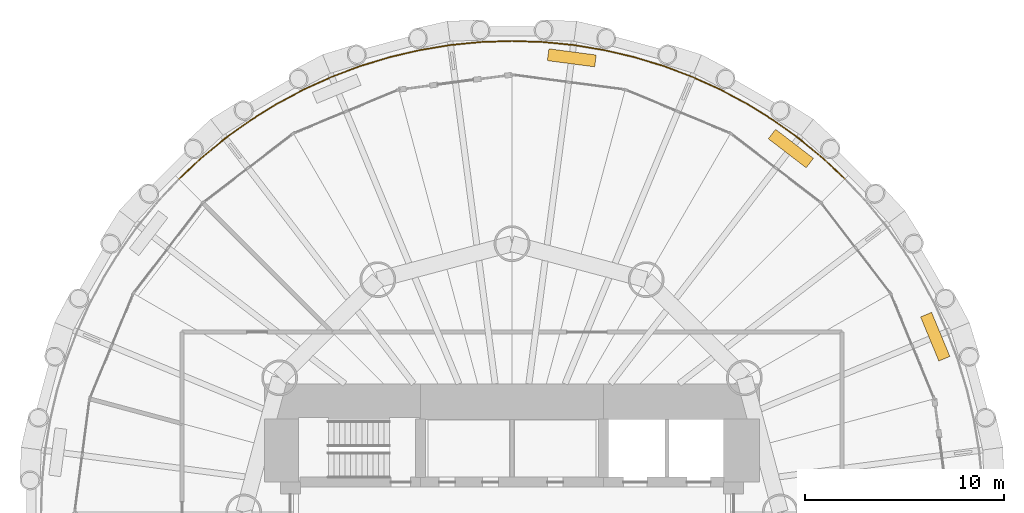
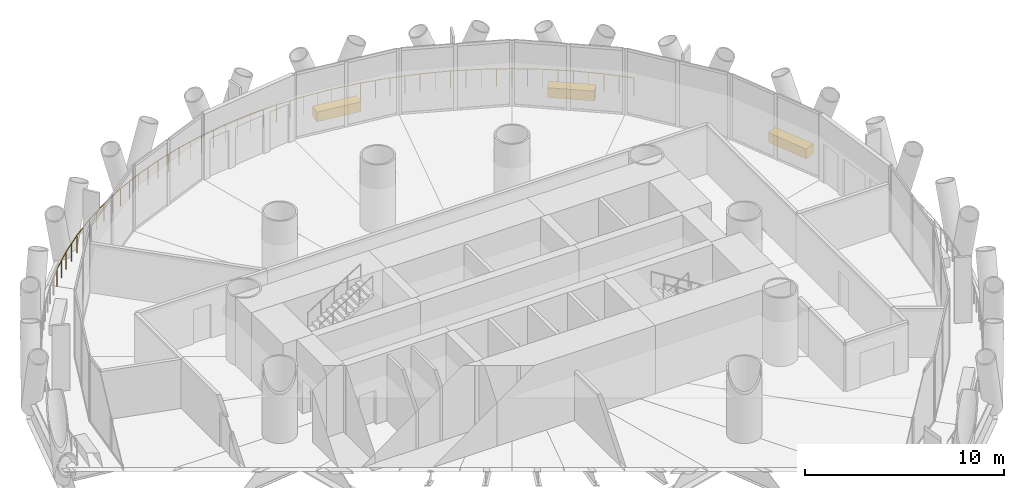
# One storey, part 14 of 14: 3 coverings, 1 railing.
"""IFC4 building model written with IfcOpenShell, lengths in metres."""

from ifc_helpers import new_model, si_unit, direction, frame, origin, origin_2d, place, context, subcontext, project, spatial, rectangle, circle, extrude, material, layer, layer_set, type_object, element, save


model = new_model("IFC4")

# Units and contexts
model_context = context("Model", 3, precision=1e-05, world=origin(), true_north=direction((0.0, 1.0)))
body_context = subcontext(model_context, "Body", "Model", "MODEL_VIEW")
ifc_project = project(units=[si_unit("LENGTHUNIT", "METRE"), si_unit("AREAUNIT", "SQUARE_METRE"), si_unit("VOLUMEUNIT", "CUBIC_METRE"), si_unit("PLANEANGLEUNIT", "RADIAN"), si_unit("MASSUNIT", "GRAM", prefix="KILO")], contexts=[model_context])

# Site, building, storey
site_placement = place(None, origin())
site = spatial("IfcSite", under=ifc_project, at=site_placement, CompositionType="ELEMENT")
building_placement = place(site_placement, origin())
building = spatial("IfcBuilding", under=site, at=building_placement, Name="Qaws Media Tower", CompositionType="ELEMENT")
storey_placement = place(building_placement, frame((0.0, 0.0, 185.60009765625)))
storey = spatial("IfcBuildingStorey", under=building, at=storey_placement, Name="L42", CompositionType="ELEMENT", Elevation=185.60009765625)

# Railing
ifc_material_1 = material(Name="Stainless steel and glass guard", Category="steel")
railing_type = type_object("IfcRailingType", Name="Balcony guard 1100", PredefinedType="GUARDRAIL", material=ifc_material_1)
railing_placement = place(storey_placement, frame((76.758544921875, 66.758544921875, 0.0)))
element("IfcRailing", 1, at=railing_placement, inside=storey, type_object=railing_type, Name="GR1 balcony guard L42-1", PredefinedType="GUARDRAIL", context=body_context, shape_type="SweptSolid", body=[
    extrude(circle(Radius=0.02392578125, at=origin_2d()), frame((0.0, 0.0, 1.076171875), z_axis=(-0.729944527227, 0.683506391464, 0.0), x_axis=(-0.683506391464, -0.729944527227, 0.0)), (0.0, 0.0, 1.0), 1.551025390625),
    extrude(circle(Radius=0.02392578125, at=origin_2d()), frame((-1.132080078125, 1.06005859375, 1.076171875), z_axis=(-0.772974388283, 0.634437227043, 0.0), x_axis=(-0.634437227043, -0.772974388283, 0.0)), (0.0, 0.0, 1.0), 1.55078125),
    extrude(circle(Radius=0.02392578125, at=origin_2d()), frame((-2.330810546875, 2.0439453125, 1.076171875), z_axis=(-0.812881717162, 0.582428805867, 0.0), x_axis=(-0.582428805867, -0.812881717162, 0.0)), (0.0, 0.0, 1.0), 1.551025390625),
    extrude(circle(Radius=0.02392578125, at=origin_2d()), frame((-3.591552734375, 2.947265625, 1.076171875), z_axis=(-0.849146035889, 0.528158129479, 0.0), x_axis=(-0.528158129479, -0.849146035889, 0.0)), (0.0, 0.0, 1.0), 1.55078125),
    extrude(circle(Radius=0.02392578125, at=origin_2d()), frame((-4.908447265625, 3.766357421875, 1.076171875), z_axis=(-0.881977923457, 0.471290719763, 0.0), x_axis=(-0.471290719763, -0.881977923457, 0.0)), (0.0, 0.0, 1.0), 1.551025390625),
    extrude(circle(Radius=0.02392578125, at=origin_2d()), frame((-6.2763671875, 4.497314453125, 1.076171875), z_axis=(-0.910840299851, 0.412758946804, 0.0), x_axis=(-0.412758946804, -0.910840299851, 0.0)), (0.0, 0.0, 1.0), 1.55078125),
    extrude(circle(Radius=0.02392578125, at=origin_2d()), frame((-7.68896484375, 5.137451171875, 1.076171875), z_axis=(-0.935933927522, 0.352175642703, 0.0), x_axis=(-0.352175642703, -0.935933927522, 0.0)), (0.0, 0.0, 1.0), 1.55078125),
    extrude(circle(Radius=0.02392578125, at=origin_2d()), frame((-9.140380859375, 5.68359375, 1.076171875), z_axis=(-0.956942281167, 0.290278263937, 0.0), x_axis=(-0.290278263937, -0.956942281167, 0.0)), (0.0, 0.0, 1.0), 1.551025390625),
    extrude(circle(Radius=0.02392578125, at=origin_2d()), frame((-10.62451171875, 6.1337890625, 1.076171875), z_axis=(-0.97386326504, 0.22713507216, 0.0), x_axis=(-0.22713507216, -0.97386326504, 0.0)), (0.0, 0.0, 1.0), 1.551025390625),
    extrude(circle(Radius=0.02392578125, at=origin_2d()), frame((-12.135009765625, 6.486083984375, 1.076171875), z_axis=(-0.98663538303, 0.162943612803, 0.0), x_axis=(-0.162943612803, -0.98663538303, 0.0)), (0.0, 0.0, 1.0), 1.55078125),
    extrude(circle(Radius=0.02392578125, at=origin_2d()), frame((-13.6650390625, 6.73876953125, 1.076171875), z_axis=(-0.995194896556, 0.097913828797, 0.0), x_axis=(-0.097913828797, -0.995194896556, 0.0)), (0.0, 0.0, 1.0), 1.551025390625),
    extrude(circle(Radius=0.02392578125, at=origin_2d()), frame((-15.20849609375, 6.890625, 1.076171875), z_axis=(-0.999463787912, 0.032743497856, 0.0), x_axis=(-0.032743497856, -0.999463787912, 0.0)), (0.0, 0.0, 1.0), 1.55078125),
    extrude(circle(Radius=0.02392578125, at=origin_2d()), frame((-16.758544921875, 6.94140625, 1.076171875), z_axis=(-0.999463787912, -0.032743497856, 0.0), x_axis=(0.032743497856, -0.999463787912, 0.0)), (0.0, 0.0, 1.0), 1.55078125),
    extrude(circle(Radius=0.02392578125, at=origin_2d()), frame((-18.30859375, 6.890625, 1.076171875), z_axis=(-0.995194896556, -0.097913828797, 0.0), x_axis=(0.097913828797, -0.995194896556, 0.0)), (0.0, 0.0, 1.0), 1.551025390625),
    extrude(circle(Radius=0.02392578125, at=origin_2d()), frame((-19.85205078125, 6.73876953125, 1.076171875), z_axis=(-0.98663538303, -0.162943612803, 0.0), x_axis=(0.162943612803, -0.98663538303, 0.0)), (0.0, 0.0, 1.0), 1.55078125),
    extrude(circle(Radius=0.02392578125, at=origin_2d()), frame((-21.382080078125, 6.486083984375, 1.076171875), z_axis=(-0.97386326504, -0.22713507216, 0.0), x_axis=(0.22713507216, -0.97386326504, 0.0)), (0.0, 0.0, 1.0), 1.551025390625),
    extrude(circle(Radius=0.02392578125, at=origin_2d()), frame((-22.892578125, 6.1337890625, 1.076171875), z_axis=(-0.956942281167, -0.290278263937, 0.0), x_axis=(0.290278263937, -0.956942281167, 0.0)), (0.0, 0.0, 1.0), 1.551025390625),
    extrude(circle(Radius=0.02392578125, at=origin_2d()), frame((-24.376708984375, 5.68359375, 1.076171875), z_axis=(-0.935933927522, -0.352175642703, 0.0), x_axis=(0.352175642703, -0.935933927522, 0.0)), (0.0, 0.0, 1.0), 1.55078125),
    extrude(circle(Radius=0.02392578125, at=origin_2d()), frame((-25.828125, 5.137451171875, 1.076171875), z_axis=(-0.910840299851, -0.412758946804, 0.0), x_axis=(0.412758946804, -0.910840299851, 0.0)), (0.0, 0.0, 1.0), 1.55078125),
    extrude(circle(Radius=0.02392578125, at=origin_2d()), frame((-27.24072265625, 4.497314453125, 1.076171875), z_axis=(-0.881977923457, -0.471290719763, 0.0), x_axis=(0.471290719763, -0.881977923457, 0.0)), (0.0, 0.0, 1.0), 1.551025390625),
    extrude(circle(Radius=0.02392578125, at=origin_2d()), frame((-28.608642578125, 3.766357421875, 1.076171875), z_axis=(-0.849146035889, -0.528158129479, 0.0), x_axis=(0.528158129479, -0.849146035889, 0.0)), (0.0, 0.0, 1.0), 1.55078125),
    extrude(circle(Radius=0.02392578125, at=origin_2d()), frame((-29.925537109375, 2.947265625, 1.076171875), z_axis=(-0.812881717162, -0.582428805867, 0.0), x_axis=(0.582428805867, -0.812881717162, 0.0)), (0.0, 0.0, 1.0), 1.551025390625),
    extrude(circle(Radius=0.02392578125, at=origin_2d()), frame((-31.186279296875, 2.0439453125, 1.076171875), z_axis=(-0.772974388283, -0.634437227043, 0.0), x_axis=(0.634437227043, -0.772974388283, 0.0)), (0.0, 0.0, 1.0), 1.55078125),
    extrude(circle(Radius=0.02392578125, at=origin_2d()), frame((-32.385009765625, 1.06005859375, 1.076171875), z_axis=(-0.729944527227, -0.683506391464, 0.0), x_axis=(0.683506391464, -0.729944527227, 0.0)), (0.0, 0.0, 1.0), 1.551025390625),
    extrude(circle(Radius=0.02099609375, at=origin_2d()), origin(), (0.0, 0.0, 1.0), 1.052001953125),
    extrude(circle(Radius=0.02099609375, at=origin_2d()), frame((-0.56591796875, 0.530029296875, 0.0)), (0.0, 0.0, 1.0), 1.052001953125),
    extrude(circle(Radius=0.02099609375, at=origin_2d()), frame((-1.132080078125, 1.06005859375, 0.0)), (0.0, 0.0, 1.0), 1.052001953125),
    extrude(circle(Radius=0.02099609375, at=origin_2d()), frame((-1.7314453125, 1.552001953125, 0.0)), (0.0, 0.0, 1.0), 1.052001953125),
    extrude(circle(Radius=0.02099609375, at=origin_2d()), frame((-2.330810546875, 2.0439453125, 0.0)), (0.0, 0.0, 1.0), 1.052001953125),
    extrude(circle(Radius=0.02099609375, at=origin_2d()), frame((-2.961181640625, 2.49560546875, 0.0)), (0.0, 0.0, 1.0), 1.052001953125),
    extrude(circle(Radius=0.02099609375, at=origin_2d()), frame((-3.591552734375, 2.947265625, 0.0)), (0.0, 0.0, 1.0), 1.052001953125),
    extrude(circle(Radius=0.02099609375, at=origin_2d()), frame((-4.25, 3.35693359375, 0.0)), (0.0, 0.0, 1.0), 1.052001953125),
    extrude(circle(Radius=0.02099609375, at=origin_2d()), frame((-4.908447265625, 3.766357421875, 0.0)), (0.0, 0.0, 1.0), 1.052001953125),
    extrude(circle(Radius=0.02099609375, at=origin_2d()), frame((-5.59228515625, 4.1318359375, 0.0)), (0.0, 0.0, 1.0), 1.052001953125),
    extrude(circle(Radius=0.02099609375, at=origin_2d()), frame((-6.2763671875, 4.497314453125, 0.0)), (0.0, 0.0, 1.0), 1.052001953125),
    extrude(circle(Radius=0.02099609375, at=origin_2d()), frame((-6.982666015625, 4.8173828125, 0.0)), (0.0, 0.0, 1.0), 1.052001953125),
    extrude(circle(Radius=0.02099609375, at=origin_2d()), frame((-7.68896484375, 5.137451171875, 0.0)), (0.0, 0.0, 1.0), 1.052001953125),
    extrude(circle(Radius=0.02099609375, at=origin_2d()), frame((-8.41455078125, 5.41064453125, 0.0)), (0.0, 0.0, 1.0), 1.052001953125),
    extrude(circle(Radius=0.02099609375, at=origin_2d()), frame((-9.140380859375, 5.68359375, 0.0)), (0.0, 0.0, 1.0), 1.052001953125),
    extrude(circle(Radius=0.02099609375, at=origin_2d()), frame((-9.88232421875, 5.90869140625, 0.0)), (0.0, 0.0, 1.0), 1.052001953125),
    extrude(circle(Radius=0.02099609375, at=origin_2d()), frame((-10.62451171875, 6.1337890625, 0.0)), (0.0, 0.0, 1.0), 1.052001953125),
    extrude(circle(Radius=0.02099609375, at=origin_2d()), frame((-11.3798828125, 6.31005859375, 0.0)), (0.0, 0.0, 1.0), 1.052001953125),
    extrude(circle(Radius=0.02099609375, at=origin_2d()), frame((-12.135009765625, 6.486083984375, 0.0)), (0.0, 0.0, 1.0), 1.052001953125),
    extrude(circle(Radius=0.02099609375, at=origin_2d()), frame((-12.89990234375, 6.6123046875, 0.0)), (0.0, 0.0, 1.0), 1.052001953125),
    extrude(circle(Radius=0.02099609375, at=origin_2d()), frame((-13.6650390625, 6.73876953125, 0.0)), (0.0, 0.0, 1.0), 1.052001953125),
    extrude(circle(Radius=0.02099609375, at=origin_2d()), frame((-14.436767578125, 6.814697265625, 0.0)), (0.0, 0.0, 1.0), 1.052001953125),
    extrude(circle(Radius=0.02099609375, at=origin_2d()), frame((-15.20849609375, 6.890625, 0.0)), (0.0, 0.0, 1.0), 1.052001953125),
    extrude(circle(Radius=0.02099609375, at=origin_2d()), frame((-15.9833984375, 6.916015625, 0.0)), (0.0, 0.0, 1.0), 1.052001953125),
    extrude(circle(Radius=0.02099609375, at=origin_2d()), frame((-16.758544921875, 6.94140625, 0.0)), (0.0, 0.0, 1.0), 1.052001953125),
    extrude(circle(Radius=0.02099609375, at=origin_2d()), frame((-17.53369140625, 6.916015625, 0.0)), (0.0, 0.0, 1.0), 1.052001953125),
    extrude(circle(Radius=0.02099609375, at=origin_2d()), frame((-18.30859375, 6.890625, 0.0)), (0.0, 0.0, 1.0), 1.052001953125),
    extrude(circle(Radius=0.02099609375, at=origin_2d()), frame((-19.080322265625, 6.814697265625, 0.0)), (0.0, 0.0, 1.0), 1.052001953125),
    extrude(circle(Radius=0.02099609375, at=origin_2d()), frame((-19.85205078125, 6.73876953125, 0.0)), (0.0, 0.0, 1.0), 1.052001953125),
    extrude(circle(Radius=0.02099609375, at=origin_2d()), frame((-20.6171875, 6.6123046875, 0.0)), (0.0, 0.0, 1.0), 1.052001953125),
    extrude(circle(Radius=0.02099609375, at=origin_2d()), frame((-21.382080078125, 6.486083984375, 0.0)), (0.0, 0.0, 1.0), 1.052001953125),
    extrude(circle(Radius=0.02099609375, at=origin_2d()), frame((-22.13720703125, 6.31005859375, 0.0)), (0.0, 0.0, 1.0), 1.052001953125),
    extrude(circle(Radius=0.02099609375, at=origin_2d()), frame((-22.892578125, 6.1337890625, 0.0)), (0.0, 0.0, 1.0), 1.052001953125),
    extrude(circle(Radius=0.02099609375, at=origin_2d()), frame((-23.634765625, 5.90869140625, 0.0)), (0.0, 0.0, 1.0), 1.052001953125),
    extrude(circle(Radius=0.02099609375, at=origin_2d()), frame((-24.376708984375, 5.68359375, 0.0)), (0.0, 0.0, 1.0), 1.052001953125),
    extrude(circle(Radius=0.02099609375, at=origin_2d()), frame((-25.1025390625, 5.41064453125, 0.0)), (0.0, 0.0, 1.0), 1.052001953125),
    extrude(circle(Radius=0.02099609375, at=origin_2d()), frame((-25.828125, 5.137451171875, 0.0)), (0.0, 0.0, 1.0), 1.052001953125),
    extrude(circle(Radius=0.02099609375, at=origin_2d()), frame((-26.534423828125, 4.8173828125, 0.0)), (0.0, 0.0, 1.0), 1.052001953125),
    extrude(circle(Radius=0.02099609375, at=origin_2d()), frame((-27.24072265625, 4.497314453125, 0.0)), (0.0, 0.0, 1.0), 1.052001953125),
    extrude(circle(Radius=0.02099609375, at=origin_2d()), frame((-27.9248046875, 4.1318359375, 0.0)), (0.0, 0.0, 1.0), 1.052001953125),
    extrude(circle(Radius=0.02099609375, at=origin_2d()), frame((-28.608642578125, 3.766357421875, 0.0)), (0.0, 0.0, 1.0), 1.052001953125),
    extrude(circle(Radius=0.02099609375, at=origin_2d()), frame((-29.26708984375, 3.35693359375, 0.0)), (0.0, 0.0, 1.0), 1.052001953125),
    extrude(circle(Radius=0.02099609375, at=origin_2d()), frame((-29.925537109375, 2.947265625, 0.0)), (0.0, 0.0, 1.0), 1.052001953125),
    extrude(circle(Radius=0.02099609375, at=origin_2d()), frame((-30.555908203125, 2.49560546875, 0.0)), (0.0, 0.0, 1.0), 1.052001953125),
    extrude(circle(Radius=0.02099609375, at=origin_2d()), frame((-31.186279296875, 2.0439453125, 0.0)), (0.0, 0.0, 1.0), 1.052001953125),
    extrude(circle(Radius=0.02099609375, at=origin_2d()), frame((-31.78564453125, 1.552001953125, 0.0)), (0.0, 0.0, 1.0), 1.052001953125),
    extrude(circle(Radius=0.02099609375, at=origin_2d()), frame((-32.385009765625, 1.06005859375, 0.0)), (0.0, 0.0, 1.0), 1.052001953125),
    extrude(circle(Radius=0.02099609375, at=origin_2d()), frame((-32.951171875, 0.530029296875, 0.0)), (0.0, 0.0, 1.0), 1.052001953125),
    extrude(circle(Radius=0.02099609375, at=origin_2d()), frame((-33.51708984375, 0.0, 0.0)), (0.0, 0.0, 1.0), 1.052001953125),
])

# Coverings
ifc_material_2 = material(Name="Precast concrete planter with trailing planting", Category="concrete")
ifc_layer = layer(ifc_material_2, 0.60009765625)
ifc_layer_set = layer_set([ifc_layer], Name="Planter 2400x600")
covering_type = type_object("IfcCoveringType", Name="Planter 2400x600", PredefinedType="USERDEFINED", material=ifc_layer_set)
for number, where, z_axis, x_axis, name in (
    (2, (81.29541015625, 58.82080078125, -0.000244140625), (0.0, 0.0, 1.0), (-0.382683432365, 0.923879532511, 0.0), "PL1 balcony planter L42-01"),
    (3, (74.031982421875, 68.286865234375, -0.000244140625), (0.0, 0.0, 1.0), (-0.793353340291, 0.608761429009, 0.0), "PL1 balcony planter L42-02"),
    (4, (63.008544921875, 72.852783203125, -0.000244140625), (0.0, 0.0, 1.0), (-0.991444861374, 0.13052619222, 0.0), "PL1 balcony planter L42-03"),
):
    element("IfcCovering", number, at=place(storey_placement, frame(where, z_axis=z_axis, x_axis=x_axis)), inside=storey, type_object=covering_type, Name=name, ObjectType="PLANTER", PredefinedType="USERDEFINED", context=body_context, shape_type="SweptSolid", body=[
        extrude(rectangle(XDim=2.39990234375, YDim=0.60009765625, at=origin_2d()), origin(), (0.0, 0.0, 1.0), 0.60009765625),
    ])

save(model, "model.ifc")
